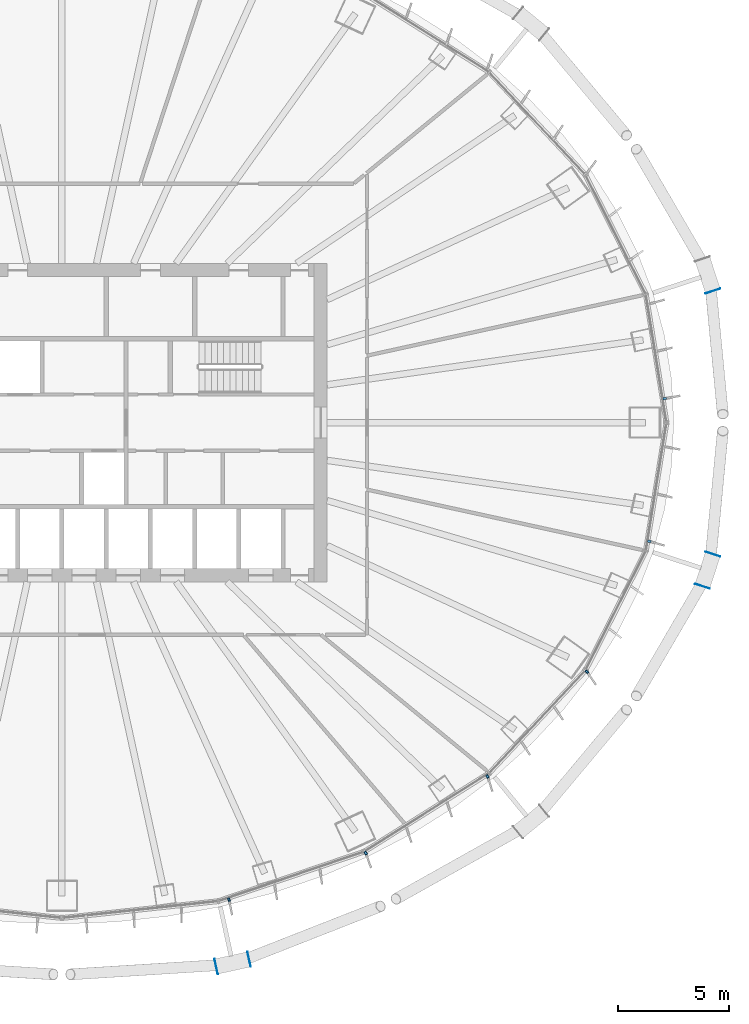
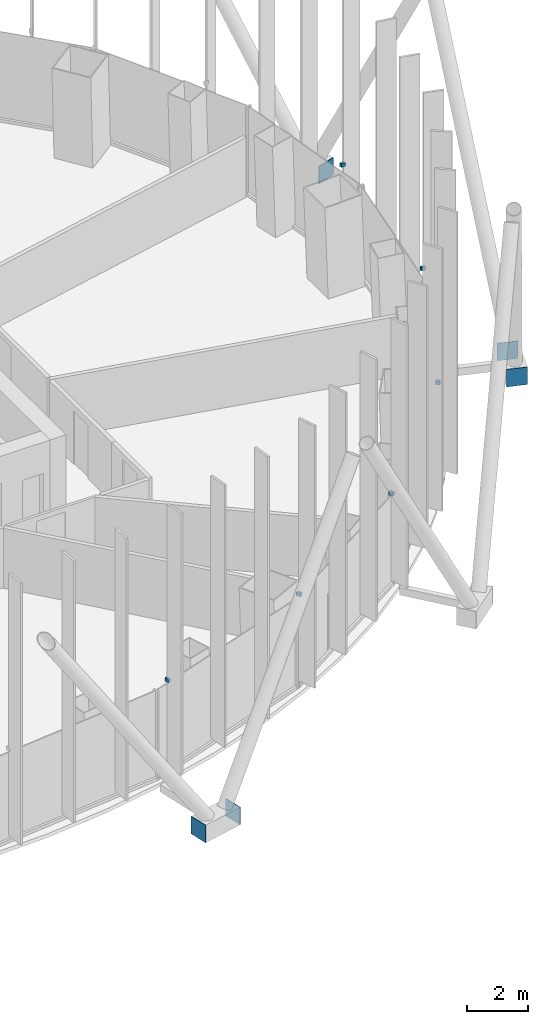
# One storey, part 13 of 19: 11 discrete accessories.
"""IFC4 building model written with IfcOpenShell, lengths in metres."""

from ifc_helpers import new_model, si_unit, direction, frame, origin, origin_2d, place, context, subcontext, project, spatial, rectangle, extrude, material, layer, layer_set, type_object, element, save


model = new_model("IFC4")

# Units and contexts
model_context = context("Model", 3, precision=1e-05, world=origin(), true_north=direction((0.0, 1.0)))
body_context = subcontext(model_context, "Body", "Model", "MODEL_VIEW")
ifc_project = project(units=[si_unit("LENGTHUNIT", "METRE"), si_unit("AREAUNIT", "SQUARE_METRE"), si_unit("VOLUMEUNIT", "CUBIC_METRE"), si_unit("PLANEANGLEUNIT", "RADIAN"), si_unit("MASSUNIT", "GRAM", prefix="KILO")], contexts=[model_context])

# Site, building, storey
site_placement = place(None, origin())
site = spatial("IfcSite", under=ifc_project, at=site_placement, CompositionType="ELEMENT")
building_placement = place(site_placement, origin())
building = spatial("IfcBuilding", under=site, at=building_placement, Name="Siaravel Broadcast Tower", CompositionType="ELEMENT")
storey_placement = place(building_placement, frame((0.0, 0.0, 59.300048828125)))
storey = spatial("IfcBuildingStorey", under=building, at=storey_placement, Name="L13", CompositionType="ELEMENT", Elevation=59.300048828125)

# Discrete accessories
ifc_material_1 = material(Name="Stainless steel 316", Category="steel")
discrete_accessory_type_1 = type_object("IfcDiscreteAccessoryType", Name="Stainless steel fin bracket", PredefinedType="USERDEFINED", material=ifc_material_1)
for number, where, z_axis, x_axis, name in (
    (1, (27.264404296875, 1.085693359375, 3.68994140625), (0.0, 0.0, 1.0), (0.987329198, 0.158685394, 0.0), "Fin bracket L13-01"),
    (2, (7.558349609375, -21.578125, 3.68994140625), (0.0, 0.0, 1.0), (0.321298982, -0.946977806, 0.0), "Fin bracket L13-58"),
    (3, (13.740234375, -19.4716796875, 3.68994140625), (0.0, 0.0, 1.0), (0.532147974, -0.846651365, 0.0), "Fin bracket L13-61"),
    (4, (19.25244140625, -16.007080078125, 3.68994140625), (0.0, 0.0, 1.0), (0.532147974, -0.846651365, 0.0), "Fin bracket L13-64"),
    (5, (23.746337890625, -11.271240234375, 3.68994140625), (0.0, 0.0, 1.0), (0.729804415, -0.683655992, 0.0), "Fin bracket L13-67"),
    (6, (26.57568359375, -5.37109375, 3.68994140625), (0.0, 0.0, 1.0), (0.987329198, -0.158685394, 0.0), "Fin bracket L13-70"),
):
    element("IfcDiscreteAccessory", number, at=place(storey_placement, frame(where, z_axis=z_axis, x_axis=x_axis)), inside=storey, type_object=discrete_accessory_type_1, Name=name, ObjectType="BRACKET", PredefinedType="USERDEFINED", context=body_context, shape_type="SweptSolid", body=[
        extrude(rectangle(XDim=0.159912109375, YDim=0.10009765625, at=origin_2d()), origin(), (0.0, 0.0, 1.0), 0.139892578125),
    ])
ifc_material_2 = material(Name="Steel S355", Category="steel")
ifc_layer = layer(ifc_material_2, 0.02001953125)
ifc_layer_set = layer_set([ifc_layer], Name="Steel S355")
discrete_accessory_type_2 = type_object("IfcDiscreteAccessoryType", Name="Steel end plate 20 mm", PredefinedType="USERDEFINED", material=ifc_layer_set)
for number, where, z_axis, x_axis, name in (
    (7, (29.447021484375, 5.951416015625, -0.5498046875), (0.0, 0.0, 1.0), (-0.310908675, 0.950439791, 0.0), "End plate R06 station 03B"),
    (8, (8.4677734375, -24.27783203125, -0.5498046875), (0.0, 0.0, 1.0), (0.976750917, 0.214377344, 0.0), "End plate R06 station 57A"),
    (9, (6.976318359375, -24.605224609375, -0.5498046875), (0.0, 0.0, 1.0), (0.976750917, 0.214377344, 0.0), "End plate R06 station 57B"),
    (10, (29.447021484375, -5.951416015625, -0.5498046875), (0.0, 0.0, 1.0), (0.310908675, 0.950439791, 0.0), "End plate R06 station 69A"),
    (11, (28.972412109375, -7.402587890625, -0.5498046875), (0.0, 0.0, 1.0), (0.310908675, 0.950439791, 0.0), "End plate R06 station 69B"),
):
    element("IfcDiscreteAccessory", number, at=place(storey_placement, frame(where, z_axis=z_axis, x_axis=x_axis)), inside=storey, type_object=discrete_accessory_type_2, Name=name, ObjectType="END PLATE", PredefinedType="USERDEFINED", context=body_context, shape_type="SweptSolid", body=[
        extrude(rectangle(XDim=0.02001953125, YDim=0.699951171875, at=origin_2d()), origin(), (0.0, 0.0, 1.0), 0.699951171875),
    ])

save(model, "model.ifc")
